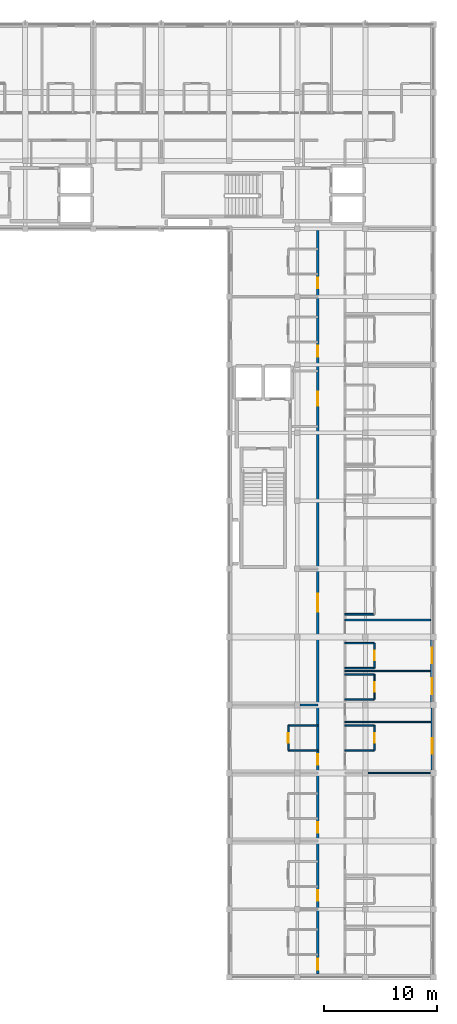
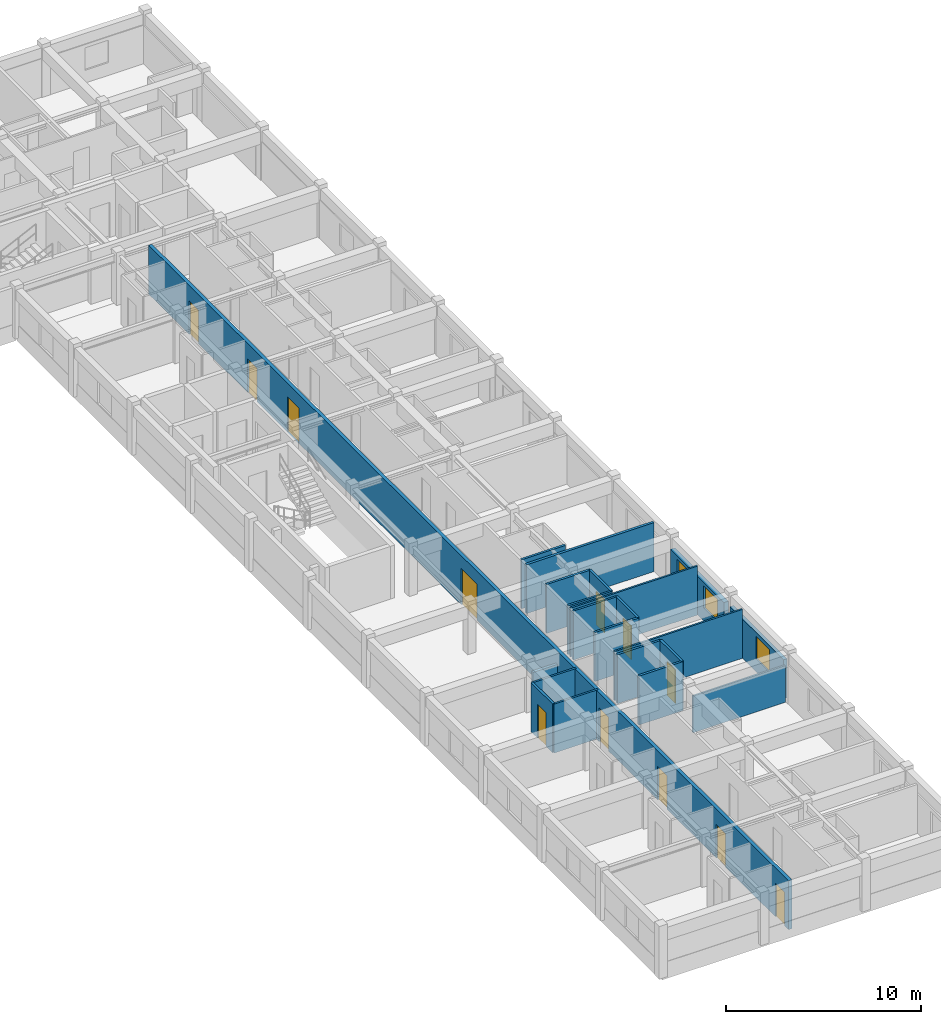
# One storey, part 4 of 15: 21 walls, 12 doors, 3 windows, 15 openings.
"""IFC4 building model written with IfcOpenShell, lengths in metres."""

from ifc_helpers import new_model, si_unit, direction, frame, frame_2d, origin, place, context, subcontext, project, spatial, rectangle, extrude, material, layer, layer_set, type_object, element, fill, save


model = new_model("IFC4")

# Units and contexts
model_context = context("Model", 3, precision=1e-05, world=origin(), true_north=direction((0.0, 1.0)))
body_context = subcontext(model_context, "Body", "Model", "MODEL_VIEW")
ifc_project = project(units=[si_unit("LENGTHUNIT", "METRE"), si_unit("AREAUNIT", "SQUARE_METRE"), si_unit("VOLUMEUNIT", "CUBIC_METRE"), si_unit("PLANEANGLEUNIT", "RADIAN"), si_unit("MASSUNIT", "GRAM", prefix="KILO"), si_unit("THERMODYNAMICTEMPERATUREUNIT", "KELVIN"), si_unit("POWERUNIT", "WATT")], contexts=[model_context])

# Site, building, storey
site_placement = place(None, origin())
site = spatial("IfcSite", under=ifc_project, at=site_placement, CompositionType="ELEMENT")
building_placement = place(site_placement, origin())
building = spatial("IfcBuilding", under=site, at=building_placement, Name="Phaisarnlok Congress Hotel", CompositionType="ELEMENT")
storey_placement = place(building_placement, frame((0.0, 0.0, 41.39990234375)))
storey = spatial("IfcBuildingStorey", under=building, at=storey_placement, Name="L10", CompositionType="ELEMENT", Elevation=41.39990234375)

# Wall, opening, window
ifc_material_1 = material(Name="Concrete C40/50", Category="concrete")
ifc_layer_1 = layer(ifc_material_1, 0.2099609375, Name="Concrete C40/50")
ifc_layer_set_1 = layer_set([ifc_layer_1], Name="Concrete C40/50")
wall_type_1 = type_object("IfcWallType", Name="WL-EXT-210", PredefinedType="SOLIDWALL", material=ifc_layer_set_1)
wall_1_placement = place(storey_placement, frame((179.89501953125, 60.2548828125, 0.0), z_axis=(0.0, 0.0, 1.0), x_axis=(0.0, 1.0, 0.0)))
wall_1 = element("IfcWall", 1, at=wall_1_placement, inside=storey, type_object=wall_type_1, Name="Exterior wall EW-07 (L10)", PredefinedType="SOLIDWALL", context=body_context, shape_type="SweptSolid", body=[
    extrude(rectangle(XDim=5.490234375, YDim=0.2099609375, at=frame_2d((2.7451171875, 0.0))), origin(), (0.0, 0.0, 1.0), 2.445068359375),
])
opening_1_placement = place(wall_1_placement, frame((1.43310546875, 0.0, 0.800048828125)))
opening_1 = element("IfcOpeningElement", 2, at=opening_1_placement, cuts=wall_1, Name="Opening W-13", PredefinedType="OPENING", context=body_context, shape_type="SweptSolid", body=[
    extrude(rectangle(XDim=1.39990234375, YDim=1.39990234375, at=frame_2d((0.699951171875, 0.699951171875))), frame((0.0, 0.114990234375, 0.0), z_axis=(0.0, -1.0, 0.0), x_axis=(1.0, 0.0, 0.0)), (0.0, 0.0, 1.0), 0.22998046875),
])
ifc_material_2 = material(Name="Thermally Broken Aluminium & Low-E Double Glazing", Category="aluminium")
window_type = type_object("IfcWindowType", Name="WIN-POD-1400", PartitioningType="SINGLE_PANEL", PredefinedType="WINDOW", material=ifc_material_2)
window_1_placement = place(opening_1_placement, origin())
window_1 = element("IfcWindow", 3, at=window_1_placement, inside=storey, type_object=window_type, Name="Guestroom window W-13 (L10)", OverallHeight=1.39990234375, OverallWidth=1.39990234375, PartitioningType="SINGLE_PANEL", PredefinedType="WINDOW", context=body_context, shape_type="SweptSolid", body=[
    extrude(rectangle(XDim=1.39990234375, YDim=1.39990234375, at=frame_2d((0.699951171875, 0.699951171875))), frame((0.0, 0.030029296875, 0.0), z_axis=(0.0, -1.0, 0.0), x_axis=(1.0, 0.0, 0.0)), (0.0, 0.0, 1.0), 0.06005859375),
])
fill(opening_1, window_1)

# Wall, openings, windows
ifc_layer_2 = layer(ifc_material_1, 0.27001953125, Name="Concrete C40/50")
ifc_layer_set_2 = layer_set([ifc_layer_2], Name="Concrete C40/50")
wall_type_2 = type_object("IfcWallType", Name="WL-EXT-270", PredefinedType="SOLIDWALL", material=ifc_layer_set_2)
wall_2_placement = place(storey_placement, frame((179.864990234375, 66.2548828125, 0.0), z_axis=(0.0, 0.0, 1.0), x_axis=(0.0, 1.0, 0.0)))
wall_2 = element("IfcWall", 4, at=wall_2_placement, inside=storey, type_object=wall_type_2, Name="Exterior wall EW-04 (L10)", PredefinedType="SOLIDWALL", context=body_context, shape_type="SweptSolid", body=[
    extrude(rectangle(XDim=5.490234375, YDim=0.27001953125, at=frame_2d((2.7451171875, 0.0))), origin(), (0.0, 0.0, 1.0), 2.41015625),
])
opening_2_placement = place(wall_2_placement, frame((0.681884765625, 0.0, 0.800048828125)))
opening_2 = element("IfcOpeningElement", 5, at=opening_2_placement, cuts=wall_2, Name="Opening W-13", PredefinedType="OPENING", context=body_context, shape_type="SweptSolid", body=[
    extrude(rectangle(XDim=1.39990234375, YDim=1.39990234375, at=frame_2d((0.699951171875, 0.699951171875))), frame((0.0, 0.14501953125, 0.0), z_axis=(0.0, -1.0, 0.0), x_axis=(1.0, 0.0, 0.0)), (0.0, 0.0, 1.0), 0.2900390625),
])
opening_3_placement = place(wall_2_placement, frame((3.407958984375, 0.0, 0.800048828125)))
opening_3 = element("IfcOpeningElement", 6, at=opening_3_placement, cuts=wall_2, Name="Opening W-13", PredefinedType="OPENING", context=body_context, shape_type="SweptSolid", body=[
    extrude(rectangle(XDim=1.39990234375, YDim=1.39990234375, at=frame_2d((0.699951171875, 0.699951171875))), frame((0.0, 0.14501953125, 0.0), z_axis=(0.0, -1.0, 0.0), x_axis=(1.0, 0.0, 0.0)), (0.0, 0.0, 1.0), 0.2900390625),
])
window_2_placement = place(opening_2_placement, origin())
window_2 = element("IfcWindow", 7, at=window_2_placement, inside=storey, type_object=window_type, Name="Guestroom window W-13 (L10)", OverallHeight=1.39990234375, OverallWidth=1.39990234375, PartitioningType="SINGLE_PANEL", PredefinedType="WINDOW", context=body_context, shape_type="SweptSolid", body=[
    extrude(rectangle(XDim=1.39990234375, YDim=1.39990234375, at=frame_2d((0.699951171875, 0.699951171875))), frame((0.0, 0.030029296875, 0.0), z_axis=(0.0, -1.0, 0.0), x_axis=(1.0, 0.0, 0.0)), (0.0, 0.0, 1.0), 0.06005859375),
])
fill(opening_2, window_2)
window_3_placement = place(opening_3_placement, origin())
window_3 = element("IfcWindow", 8, at=window_3_placement, inside=storey, type_object=window_type, Name="Guestroom window W-13 (L10)", OverallHeight=1.39990234375, OverallWidth=1.39990234375, PartitioningType="SINGLE_PANEL", PredefinedType="WINDOW", context=body_context, shape_type="SweptSolid", body=[
    extrude(rectangle(XDim=1.39990234375, YDim=1.39990234375, at=frame_2d((0.699951171875, 0.699951171875))), frame((0.0, 0.030029296875, 0.0), z_axis=(0.0, -1.0, 0.0), x_axis=(1.0, 0.0, 0.0)), (0.0, 0.0, 1.0), 0.06005859375),
])
fill(opening_3, window_3)

# Walls
ifc_material_3 = material(Name="Service Riser Shaftwall Partition", Category="gypsum")
ifc_layer_3 = layer(ifc_material_3, 0.10498046875, Name="Service Riser Shaftwall Partition")
ifc_layer_set_3 = layer_set([ifc_layer_3], Name="Service Riser Shaftwall Partition")
wall_type_3 = type_object("IfcWallType", Name="WL-INT-105", PredefinedType="PARTITIONING", material=ifc_layer_set_3)
wall_3_placement = place(storey_placement, frame((174.2548828125, 60.0, 0.0), z_axis=(0.0, 0.0, 1.0), x_axis=(1.0, 0.0, 0.0)))
element("IfcWall", 9, at=wall_3_placement, inside=storey, type_object=wall_type_3, Name="Interior partition wall IW-08 (L10)", PredefinedType="PARTITIONING", context=body_context, shape_type="SweptSolid", body=[
    extrude(rectangle(XDim=5.465087890625, YDim=0.10498046875, at=frame_2d((2.732421875, 0.0))), origin(), (0.0, 0.0, 1.0), 2.295166015625),
])
wall_4_placement = place(storey_placement, frame((172.199951171875, 64.5, 0.0), z_axis=(0.0, 0.0, 1.0), x_axis=(1.0, 0.0, 0.0)))
element("IfcWall", 10, at=wall_4_placement, inside=storey, type_object=wall_type_3, Name="Interior partition wall IW-08 (L10)", PredefinedType="PARTITIONING", context=body_context, shape_type="SweptSolid", body=[
    extrude(rectangle(XDim=7.5849609375, YDim=0.10498046875, at=frame_2d((3.79248046875, 0.0))), origin(), (0.0, 0.0, 1.0), 3.06005859375),
])
wall_5_placement = place(storey_placement, frame((172.199951171875, 69.0, 0.0), z_axis=(0.0, 0.0, 1.0), x_axis=(1.0, 0.0, 0.0)))
element("IfcWall", 11, at=wall_5_placement, inside=storey, type_object=wall_type_3, Name="Interior partition wall IW-08 (L10)", PredefinedType="PARTITIONING", context=body_context, shape_type="SweptSolid", body=[
    extrude(rectangle(XDim=7.525146484375, YDim=0.10498046875, at=frame_2d((3.7626953125, 0.0))), origin(), (0.0, 0.0, 1.0), 3.06005859375),
])

# Wall, opening, door
ifc_material_4 = material(Name="Lightweight Metal-Stud Gypsum Partition", Category="gypsum")
ifc_layer_4 = layer(ifc_material_4, 0.1201171875, Name="Lightweight Metal-Stud Gypsum Partition")
ifc_layer_set_4 = layer_set([ifc_layer_4], Name="Lightweight Metal-Stud Gypsum Partition")
wall_type_4 = type_object("IfcWallType", Name="WL-INT-120", PredefinedType="PARTITIONING", material=ifc_layer_set_4)
wall_6_placement = place(storey_placement, frame((174.800048828125, 66.5, 0.0), z_axis=(0.0, 0.0, 1.0), x_axis=(0.0, 1.0, 0.0)))
wall_6 = element("IfcWall", 12, at=wall_6_placement, inside=storey, type_object=wall_type_4, Name="Interior partition wall IW-07 (L10)", PredefinedType="PARTITIONING", context=body_context, shape_type="SweptSolid", body=[
    extrude(rectangle(XDim=2.199951171875, YDim=0.1201171875, at=frame_2d((1.10009765625, 0.0))), origin(), (0.0, 0.0, 1.0), 3.06005859375),
])
opening_4_placement = place(wall_6_placement, frame((0.675048828125, 0.0, 0.0)))
opening_4 = element("IfcOpeningElement", 13, at=opening_4_placement, cuts=wall_6, Name="Opening D-0593", PredefinedType="OPENING", context=body_context, shape_type="SweptSolid", body=[
    extrude(rectangle(XDim=0.85009765625, YDim=2.10009765625, at=frame_2d((0.425048828125, 1.050048828125))), frame((0.0, 0.070068359375, 0.0), z_axis=(0.0, -1.0, 0.0), x_axis=(1.0, 0.0, 0.0)), (0.0, 0.0, 1.0), 0.14013671875),
])
ifc_material_5 = material(Name="Moisture-Resistant Lacquered Timber", Category="wood")
door_type_1 = type_object("IfcDoorType", Name="DR-BATH-850", OperationType="NOTDEFINED", PredefinedType="DOOR", material=ifc_material_5)
door_1_placement = place(opening_4_placement, origin())
door_1 = element("IfcDoor", 14, at=door_1_placement, inside=storey, type_object=door_type_1, Name="Interior door D-0593 (L10)", OperationType="SINGLE_SWING_LEFT", OverallHeight=2.10009765625, OverallWidth=0.85009765625, PredefinedType="DOOR", context=body_context, shape_type="SweptSolid", body=[
    extrude(rectangle(XDim=0.85009765625, YDim=2.10009765625, at=frame_2d((0.425048828125, 1.050048828125))), frame((0.0, 0.02490234375, 0.0), z_axis=(0.0, -1.0, 0.0), x_axis=(1.0, 0.0, 0.0)), (0.0, 0.0, 1.0), 0.050048828125),
])
fill(opening_4, door_1)

# Walls
for number, where, z_axis, x_axis, name in (
    (15, (167.199951171875, 62.0, 0.0), (0.0, 0.0, 1.0), (1.0, 0.0, 0.0), "Interior partition wall IW-07 (L10)"),
    (16, (167.199951171875, 64.199951171875, 0.0), (0.0, 0.0, 1.0), (1.0, 0.0, 0.0), "Interior partition wall IW-07 (L10)"),
    (17, (172.199951171875, 68.699951171875, 0.0), (0.0, 0.0, 1.0), (1.0, 0.0, 0.0), "Interior partition wall IW-07 (L10)"),
    (18, (172.199951171875, 69.25, 0.0), (0.0, 0.0, 1.0), (1.0, 0.0, 0.0), "Interior partition wall IW-07 (L10)"),
):
    element("IfcWall", number, at=place(storey_placement, frame(where, z_axis=z_axis, x_axis=x_axis)), inside=storey, type_object=wall_type_4, Name=name, PredefinedType="PARTITIONING", context=body_context, shape_type="SweptSolid", body=[
        extrude(rectangle(XDim=2.60009765625, YDim=0.1201171875, at=frame_2d((1.300048828125, 0.0))), origin(), (0.0, 0.0, 1.0), 3.06005859375),
    ])

# Wall, opening, door
ifc_material_6 = material(Name="Moisture-Resistant Gypsum Partition", Category="gypsum")
ifc_layer_5 = layer(ifc_material_6, 0.135009765625, Name="Moisture-Resistant Gypsum Partition")
ifc_layer_set_5 = layer_set([ifc_layer_5], Name="Moisture-Resistant Gypsum Partition")
wall_type_5 = type_object("IfcWallType", Name="WL-INT-135", PredefinedType="PARTITIONING", material=ifc_layer_set_5)
wall_7_placement = place(storey_placement, frame((167.199951171875, 62.0, 0.0), z_axis=(0.0, 0.0, 1.0), x_axis=(0.0, 1.0, 0.0)))
wall_7 = element("IfcWall", 19, at=wall_7_placement, inside=storey, type_object=wall_type_5, Name="Interior partition wall IW-06 (L10)", PredefinedType="PARTITIONING", context=body_context, shape_type="SweptSolid", body=[
    extrude(rectangle(XDim=2.199951171875, YDim=0.135009765625, at=frame_2d((1.10009765625, 0.0))), origin(), (0.0, 0.0, 1.0), 3.06005859375),
])
opening_5_placement = place(wall_7_placement, frame((0.675048828125, 0.0, 0.0)))
opening_5 = element("IfcOpeningElement", 20, at=opening_5_placement, cuts=wall_7, Name="Opening D-0616", PredefinedType="OPENING", context=body_context, shape_type="SweptSolid", body=[
    extrude(rectangle(XDim=0.85009765625, YDim=2.10009765625, at=frame_2d((0.425048828125, 1.050048828125))), frame((0.0, 0.07763671875, 0.0), z_axis=(0.0, -1.0, 0.0), x_axis=(1.0, 0.0, 0.0)), (0.0, 0.0, 1.0), 0.155029296875),
])
door_2_placement = place(opening_5_placement, origin())
door_2 = element("IfcDoor", 21, at=door_2_placement, inside=storey, type_object=door_type_1, Name="Interior door D-0616 (L10)", OperationType="SINGLE_SWING_RIGHT", OverallHeight=2.10009765625, OverallWidth=0.85009765625, PredefinedType="DOOR", context=body_context, shape_type="SweptSolid", body=[
    extrude(rectangle(XDim=0.85009765625, YDim=2.10009765625, at=frame_2d((0.425048828125, 1.050048828125))), frame((0.0, 0.02490234375, 0.0), z_axis=(0.0, -1.0, 0.0), x_axis=(1.0, 0.0, 0.0)), (0.0, 0.0, 1.0), 0.050048828125),
])
fill(opening_5, door_2)

wall_8_placement = place(storey_placement, frame((174.800048828125, 62.0, 0.0), z_axis=(0.0, 0.0, 1.0), x_axis=(0.0, 1.0, 0.0)))
wall_8 = element("IfcWall", 22, at=wall_8_placement, inside=storey, type_object=wall_type_5, Name="Interior partition wall IW-06 (L10)", PredefinedType="PARTITIONING", context=body_context, shape_type="SweptSolid", body=[
    extrude(rectangle(XDim=2.199951171875, YDim=0.135009765625, at=frame_2d((1.10009765625, 0.0))), origin(), (0.0, 0.0, 1.0), 3.06005859375),
])
opening_6_placement = place(wall_8_placement, frame((0.675048828125, 0.0, 0.0)))
opening_6 = element("IfcOpeningElement", 23, at=opening_6_placement, cuts=wall_8, Name="Opening D-0591", PredefinedType="OPENING", context=body_context, shape_type="SweptSolid", body=[
    extrude(rectangle(XDim=0.85009765625, YDim=2.10009765625, at=frame_2d((0.425048828125, 1.050048828125))), frame((0.0, 0.07763671875, 0.0), z_axis=(0.0, -1.0, 0.0), x_axis=(1.0, 0.0, 0.0)), (0.0, 0.0, 1.0), 0.155029296875),
])
door_3_placement = place(opening_6_placement, origin())
door_3 = element("IfcDoor", 24, at=door_3_placement, inside=storey, type_object=door_type_1, Name="Interior door D-0591 (L10)", OperationType="SINGLE_SWING_LEFT", OverallHeight=2.10009765625, OverallWidth=0.85009765625, PredefinedType="DOOR", context=body_context, shape_type="SweptSolid", body=[
    extrude(rectangle(XDim=0.85009765625, YDim=2.10009765625, at=frame_2d((0.425048828125, 1.050048828125))), frame((0.0, 0.02490234375, 0.0), z_axis=(0.0, -1.0, 0.0), x_axis=(1.0, 0.0, 0.0)), (0.0, 0.0, 1.0), 0.050048828125),
])
fill(opening_6, door_3)

wall_9_placement = place(storey_placement, frame((174.800048828125, 69.25, 0.0), z_axis=(0.0, 0.0, 1.0), x_axis=(0.0, 1.0, 0.0)))
wall_9 = element("IfcWall", 25, at=wall_9_placement, inside=storey, type_object=wall_type_5, Name="Interior partition wall IW-06 (L10)", PredefinedType="PARTITIONING", context=body_context, shape_type="SweptSolid", body=[
    extrude(rectangle(XDim=2.199951171875, YDim=0.135009765625, at=frame_2d((1.10009765625, 0.0))), origin(), (0.0, 0.0, 1.0), 3.06005859375),
])
opening_7_placement = place(wall_9_placement, frame((0.675048828125, 0.0, 0.0)))
opening_7 = element("IfcOpeningElement", 26, at=opening_7_placement, cuts=wall_9, Name="Opening D-0595", PredefinedType="OPENING", context=body_context, shape_type="SweptSolid", body=[
    extrude(rectangle(XDim=0.85009765625, YDim=2.10009765625, at=frame_2d((0.425048828125, 1.050048828125))), frame((0.0, 0.07763671875, 0.0), z_axis=(0.0, -1.0, 0.0), x_axis=(1.0, 0.0, 0.0)), (0.0, 0.0, 1.0), 0.155029296875),
])
door_4_placement = place(opening_7_placement, origin())
door_4 = element("IfcDoor", 27, at=door_4_placement, inside=storey, type_object=door_type_1, Name="Interior door D-0595 (L10)", OperationType="SINGLE_SWING_LEFT", OverallHeight=2.10009765625, OverallWidth=0.85009765625, PredefinedType="DOOR", context=body_context, shape_type="SweptSolid", body=[
    extrude(rectangle(XDim=0.85009765625, YDim=2.10009765625, at=frame_2d((0.425048828125, 1.050048828125))), frame((0.0, 0.02490234375, 0.0), z_axis=(0.0, -1.0, 0.0), x_axis=(1.0, 0.0, 0.0)), (0.0, 0.0, 1.0), 0.050048828125),
])
fill(opening_7, door_4)

# Walls
for number, where, z_axis, x_axis, name in (
    (28, (172.199951171875, 62.0, 0.0), (0.0, 0.0, 1.0), (1.0, 0.0, 0.0), "Interior partition wall IW-06 (L10)"),
    (29, (172.199951171875, 64.199951171875, 0.0), (0.0, 0.0, 1.0), (1.0, 0.0, 0.0), "Interior partition wall IW-06 (L10)"),
    (30, (172.199951171875, 66.5, 0.0), (0.0, 0.0, 1.0), (1.0, 0.0, 0.0), "Interior partition wall IW-06 (L10)"),
    (31, (172.199951171875, 71.449951171875, 0.0), (0.0, 0.0, 1.0), (1.0, 0.0, 0.0), "Interior partition wall IW-06 (L10)"),
    (32, (172.199951171875, 74.0, 0.0), (0.0, 0.0, 1.0), (1.0, 0.0, 0.0), "Interior partition wall IW-06 (L10)"),
):
    element("IfcWall", number, at=place(storey_placement, frame(where, z_axis=z_axis, x_axis=x_axis)), inside=storey, type_object=wall_type_5, Name=name, PredefinedType="PARTITIONING", context=body_context, shape_type="SweptSolid", body=[
        extrude(rectangle(XDim=2.60009765625, YDim=0.135009765625, at=frame_2d((1.300048828125, 0.0))), origin(), (0.0, 0.0, 1.0), 3.06005859375),
    ])
ifc_material_7 = material(Name="Acoustic Gypsum Board & Mineral Wool", Category="gypsum")
ifc_layer_6 = layer(ifc_material_7, 0.14990234375, Name="Acoustic Gypsum Board & Mineral Wool")
ifc_layer_set_6 = layer_set([ifc_layer_6], Name="Acoustic Gypsum Board & Mineral Wool")
wall_type_6 = type_object("IfcWallType", Name="WL-INT-150", PredefinedType="PARTITIONING", material=ifc_layer_set_6)
wall_10_placement = place(storey_placement, frame((172.199951171875, 73.5, 0.0), z_axis=(0.0, 0.0, 1.0), x_axis=(1.0, 0.0, 0.0)))
element("IfcWall", 33, at=wall_10_placement, inside=storey, type_object=wall_type_6, Name="Interior partition wall IW-05 (L10)", PredefinedType="PARTITIONING", context=body_context, shape_type="SweptSolid", body=[
    extrude(rectangle(XDim=7.545166015625, YDim=0.14990234375, at=frame_2d((3.7724609375, 0.0))), origin(), (0.0, 0.0, 1.0), 3.06005859375),
])
ifc_material_8 = material(Name="Double-Stud Acoustic Gypsum Partition", Category="gypsum")
ifc_layer_7 = layer(ifc_material_8, 0.159912109375, Name="Double-Stud Acoustic Gypsum Partition")
ifc_layer_set_7 = layer_set([ifc_layer_7], Name="Double-Stud Acoustic Gypsum Partition")
wall_type_7 = type_object("IfcWallType", Name="WL-INT-160", PredefinedType="PARTITIONING", material=ifc_layer_set_7)
wall_11_placement = place(storey_placement, frame((168.2548828125, 66.0, 0.0), z_axis=(0.0, 0.0, 1.0), x_axis=(1.0, 0.0, 0.0)))
element("IfcWall", 34, at=wall_11_placement, inside=storey, type_object=wall_type_7, Name="Interior partition wall IW-04 (L10)", PredefinedType="PARTITIONING", context=body_context, shape_type="SweptSolid", body=[
    extrude(rectangle(XDim=1.545166015625, YDim=0.159912109375, at=frame_2d((0.7724609375, 0.0))), origin(), (0.0, 0.0, 1.0), 2.260009765625),
])

# Wall, openings, doors
ifc_material_9 = material(Name="Autoclaved Aerated Concrete Block", Category="concrete")
ifc_layer_8 = layer(ifc_material_9, 0.199951171875, Name="Autoclaved Aerated Concrete Block")
ifc_layer_set_8 = layer_set([ifc_layer_8], Name="Autoclaved Aerated Concrete Block")
wall_type_8 = type_object("IfcWallType", Name="WL-INT-200", PredefinedType="PARTITIONING", material=ifc_layer_set_8)
wall_12_placement = place(storey_placement, frame((169.800048828125, 42.27490234375, 0.0), z_axis=(0.0, 0.0, 1.0), x_axis=(0.0, 1.0, 0.0)))
wall_12 = element("IfcWall", 35, at=wall_12_placement, inside=storey, type_object=wall_type_8, Name="Interior partition wall IW-02 (L10)", PredefinedType="PARTITIONING", context=body_context, shape_type="SweptSolid", body=[
    extrude(rectangle(XDim=65.545166015625, YDim=0.199951171875, at=frame_2d((32.7724609375, 0.0))), origin(), (0.0, 0.0, 1.0), 3.06005859375),
])
opening_8_placement = place(wall_12_placement, frame((50.125, 0.0, 0.0)))
opening_8 = element("IfcOpeningElement", 36, at=opening_8_placement, cuts=wall_12, Name="Opening D-0557", PredefinedType="OPENING", context=body_context, shape_type="SweptSolid", body=[
    extrude(rectangle(XDim=1.199951171875, YDim=2.199951171875, at=frame_2d((0.60009765625, 1.10009765625))), frame((0.0, 0.10986328125, 0.0), z_axis=(0.0, -1.0, 0.0), x_axis=(1.0, 0.0, 0.0)), (0.0, 0.0, 1.0), 0.219970703125),
])
opening_9_placement = place(wall_12_placement, frame((31.925048828125, 0.0, 0.0)))
opening_9 = element("IfcOpeningElement", 37, at=opening_9_placement, cuts=wall_12, Name="Opening D-0560", PredefinedType="OPENING", context=body_context, shape_type="SweptSolid", body=[
    extrude(rectangle(XDim=1.60009765625, YDim=2.25, at=frame_2d((0.800048828125, 1.125))), frame((0.0, 0.10986328125, 0.0), z_axis=(0.0, -1.0, 0.0), x_axis=(1.0, 0.0, 0.0)), (0.0, 0.0, 1.0), 0.219970703125),
])
opening_10_placement = place(wall_12_placement, frame((0.39990234375, 0.0, 0.0)))
opening_10 = element("IfcOpeningElement", 38, at=opening_10_placement, cuts=wall_12, Name="Opening D-0611", PredefinedType="OPENING", context=body_context, shape_type="SweptSolid", body=[
    extrude(rectangle(XDim=0.949951171875, YDim=2.10009765625, at=frame_2d((0.47509765625, 1.050048828125))), frame((0.0, 0.10986328125, 0.0), z_axis=(0.0, -1.0, 0.0), x_axis=(1.0, 0.0, 0.0)), (0.0, 0.0, 1.0), 0.219970703125),
])
opening_11_placement = place(wall_12_placement, frame((6.449951171875, 0.0, 0.0)))
opening_11 = element("IfcOpeningElement", 39, at=opening_11_placement, cuts=wall_12, Name="Opening D-0613", PredefinedType="OPENING", context=body_context, shape_type="SweptSolid", body=[
    extrude(rectangle(XDim=0.949951171875, YDim=2.10009765625, at=frame_2d((0.47509765625, 1.050048828125))), frame((0.0, 0.10986328125, 0.0), z_axis=(0.0, -1.0, 0.0), x_axis=(1.0, 0.0, 0.0)), (0.0, 0.0, 1.0), 0.219970703125),
])
opening_12_placement = place(wall_12_placement, frame((12.449951171875, 0.0, 0.0)))
opening_12 = element("IfcOpeningElement", 40, at=opening_12_placement, cuts=wall_12, Name="Opening D-0615", PredefinedType="OPENING", context=body_context, shape_type="SweptSolid", body=[
    extrude(rectangle(XDim=0.949951171875, YDim=2.10009765625, at=frame_2d((0.47509765625, 1.050048828125))), frame((0.0, 0.10986328125, 0.0), z_axis=(0.0, -1.0, 0.0), x_axis=(1.0, 0.0, 0.0)), (0.0, 0.0, 1.0), 0.219970703125),
])
opening_13_placement = place(wall_12_placement, frame((18.449951171875, 0.0, 0.0)))
opening_13 = element("IfcOpeningElement", 41, at=opening_13_placement, cuts=wall_12, Name="Opening D-0617", PredefinedType="OPENING", context=body_context, shape_type="SweptSolid", body=[
    extrude(rectangle(XDim=0.949951171875, YDim=2.10009765625, at=frame_2d((0.47509765625, 1.050048828125))), frame((0.0, 0.10986328125, 0.0), z_axis=(0.0, -1.0, 0.0), x_axis=(1.0, 0.0, 0.0)), (0.0, 0.0, 1.0), 0.219970703125),
])
opening_14_placement = place(wall_12_placement, frame((54.449951171875, 0.0, 0.0)))
opening_14 = element("IfcOpeningElement", 42, at=opening_14_placement, cuts=wall_12, Name="Opening D-0619", PredefinedType="OPENING", context=body_context, shape_type="SweptSolid", body=[
    extrude(rectangle(XDim=0.949951171875, YDim=2.10009765625, at=frame_2d((0.47509765625, 1.050048828125))), frame((0.0, 0.10986328125, 0.0), z_axis=(0.0, -1.0, 0.0), x_axis=(1.0, 0.0, 0.0)), (0.0, 0.0, 1.0), 0.219970703125),
])
opening_15_placement = place(wall_12_placement, frame((60.449951171875, 0.0, 0.0)))
opening_15 = element("IfcOpeningElement", 43, at=opening_15_placement, cuts=wall_12, Name="Opening D-0621", PredefinedType="OPENING", context=body_context, shape_type="SweptSolid", body=[
    extrude(rectangle(XDim=0.949951171875, YDim=2.10009765625, at=frame_2d((0.47509765625, 1.050048828125))), frame((0.0, 0.10986328125, 0.0), z_axis=(0.0, -1.0, 0.0), x_axis=(1.0, 0.0, 0.0)), (0.0, 0.0, 1.0), 0.219970703125),
])
ifc_material_10 = material(Name="Acoustic Solid-Core Teak Veneer", Category="wood")
door_type_2 = type_object("IfcDoorType", Name="DR-FD30-950", OperationType="NOTDEFINED", PredefinedType="DOOR", material=ifc_material_10)
door_5_placement = place(opening_10_placement, origin())
door_5 = element("IfcDoor", 44, at=door_5_placement, inside=storey, type_object=door_type_2, Name="Interior door D-0611 (L10)", OperationType="SINGLE_SWING_LEFT", OverallHeight=2.10009765625, OverallWidth=0.949951171875, PredefinedType="DOOR", context=body_context, shape_type="SweptSolid", body=[
    extrude(rectangle(XDim=0.949951171875, YDim=2.10009765625, at=frame_2d((0.47509765625, 1.050048828125))), frame((0.0, 0.02490234375, 0.0), z_axis=(0.0, -1.0, 0.0), x_axis=(1.0, 0.0, 0.0)), (0.0, 0.0, 1.0), 0.050048828125),
])
fill(opening_10, door_5)
door_6_placement = place(opening_11_placement, origin())
door_6 = element("IfcDoor", 45, at=door_6_placement, inside=storey, type_object=door_type_2, Name="Interior door D-0613 (L10)", OperationType="SINGLE_SWING_LEFT", OverallHeight=2.10009765625, OverallWidth=0.949951171875, PredefinedType="DOOR", context=body_context, shape_type="SweptSolid", body=[
    extrude(rectangle(XDim=0.949951171875, YDim=2.10009765625, at=frame_2d((0.47509765625, 1.050048828125))), frame((0.0, 0.02490234375, 0.0), z_axis=(0.0, -1.0, 0.0), x_axis=(1.0, 0.0, 0.0)), (0.0, 0.0, 1.0), 0.050048828125),
])
fill(opening_11, door_6)
door_7_placement = place(opening_12_placement, origin())
door_7 = element("IfcDoor", 46, at=door_7_placement, inside=storey, type_object=door_type_2, Name="Interior door D-0615 (L10)", OperationType="SINGLE_SWING_LEFT", OverallHeight=2.10009765625, OverallWidth=0.949951171875, PredefinedType="DOOR", context=body_context, shape_type="SweptSolid", body=[
    extrude(rectangle(XDim=0.949951171875, YDim=2.10009765625, at=frame_2d((0.47509765625, 1.050048828125))), frame((0.0, 0.02490234375, 0.0), z_axis=(0.0, -1.0, 0.0), x_axis=(1.0, 0.0, 0.0)), (0.0, 0.0, 1.0), 0.050048828125),
])
fill(opening_12, door_7)
door_8_placement = place(opening_13_placement, origin())
door_8 = element("IfcDoor", 47, at=door_8_placement, inside=storey, type_object=door_type_2, Name="Interior door D-0617 (L10)", OperationType="SINGLE_SWING_LEFT", OverallHeight=2.10009765625, OverallWidth=0.949951171875, PredefinedType="DOOR", context=body_context, shape_type="SweptSolid", body=[
    extrude(rectangle(XDim=0.949951171875, YDim=2.10009765625, at=frame_2d((0.47509765625, 1.050048828125))), frame((0.0, 0.02490234375, 0.0), z_axis=(0.0, -1.0, 0.0), x_axis=(1.0, 0.0, 0.0)), (0.0, 0.0, 1.0), 0.050048828125),
])
fill(opening_13, door_8)
door_9_placement = place(opening_14_placement, origin())
door_9 = element("IfcDoor", 48, at=door_9_placement, inside=storey, type_object=door_type_2, Name="Interior door D-0619 (L10)", OperationType="SINGLE_SWING_LEFT", OverallHeight=2.10009765625, OverallWidth=0.949951171875, PredefinedType="DOOR", context=body_context, shape_type="SweptSolid", body=[
    extrude(rectangle(XDim=0.949951171875, YDim=2.10009765625, at=frame_2d((0.47509765625, 1.050048828125))), frame((0.0, 0.02490234375, 0.0), z_axis=(0.0, -1.0, 0.0), x_axis=(1.0, 0.0, 0.0)), (0.0, 0.0, 1.0), 0.050048828125),
])
fill(opening_14, door_9)
door_10_placement = place(opening_15_placement, origin())
door_10 = element("IfcDoor", 49, at=door_10_placement, inside=storey, type_object=door_type_2, Name="Interior door D-0621 (L10)", OperationType="SINGLE_SWING_LEFT", OverallHeight=2.10009765625, OverallWidth=0.949951171875, PredefinedType="DOOR", context=body_context, shape_type="SweptSolid", body=[
    extrude(rectangle(XDim=0.949951171875, YDim=2.10009765625, at=frame_2d((0.47509765625, 1.050048828125))), frame((0.0, 0.02490234375, 0.0), z_axis=(0.0, -1.0, 0.0), x_axis=(1.0, 0.0, 0.0)), (0.0, 0.0, 1.0), 0.050048828125),
])
fill(opening_15, door_10)
ifc_material_11 = material(Name="Fire-Rated Steel Frame & Timber Leaf", Category="steel")
door_type_3 = type_object("IfcDoorType", Name="DR-FD60-1200", OperationType="NOTDEFINED", PredefinedType="DOOR", material=ifc_material_11)
door_11_placement = place(opening_8_placement, origin())
door_11 = element("IfcDoor", 50, at=door_11_placement, inside=storey, type_object=door_type_3, Name="Interior door D-0557 (L10)", OperationType="SINGLE_SWING_RIGHT", OverallHeight=2.199951171875, OverallWidth=1.199951171875, PredefinedType="DOOR", context=body_context, shape_type="SweptSolid", body=[
    extrude(rectangle(XDim=1.199951171875, YDim=2.199951171875, at=frame_2d((0.60009765625, 1.10009765625))), frame((0.0, 0.02490234375, 0.0), z_axis=(0.0, -1.0, 0.0), x_axis=(1.0, 0.0, 0.0)), (0.0, 0.0, 1.0), 0.050048828125),
])
fill(opening_8, door_11)
ifc_material_12 = material(Name="Frameless Tempered Acoustic Glass", Category="glass")
door_type_4 = type_object("IfcDoorType", Name="DR-GLZ-1600", OperationType="DOUBLE_DOOR_SINGLE_SWING", PredefinedType="DOOR", material=ifc_material_12)
door_12_placement = place(opening_9_placement, origin())
door_12 = element("IfcDoor", 51, at=door_12_placement, inside=storey, type_object=door_type_4, Name="Interior door D-0560 (L10)", OperationType="DOUBLE_DOOR_SINGLE_SWING", OverallHeight=2.25, OverallWidth=1.60009765625, PredefinedType="DOOR", context=body_context, shape_type="SweptSolid", body=[
    extrude(rectangle(XDim=1.60009765625, YDim=2.25, at=frame_2d((0.800048828125, 1.125))), frame((0.0, 0.02490234375, 0.0), z_axis=(0.0, -1.0, 0.0), x_axis=(1.0, 0.0, 0.0)), (0.0, 0.0, 1.0), 0.050048828125),
])
fill(opening_9, door_12)

save(model, "model.ifc")
